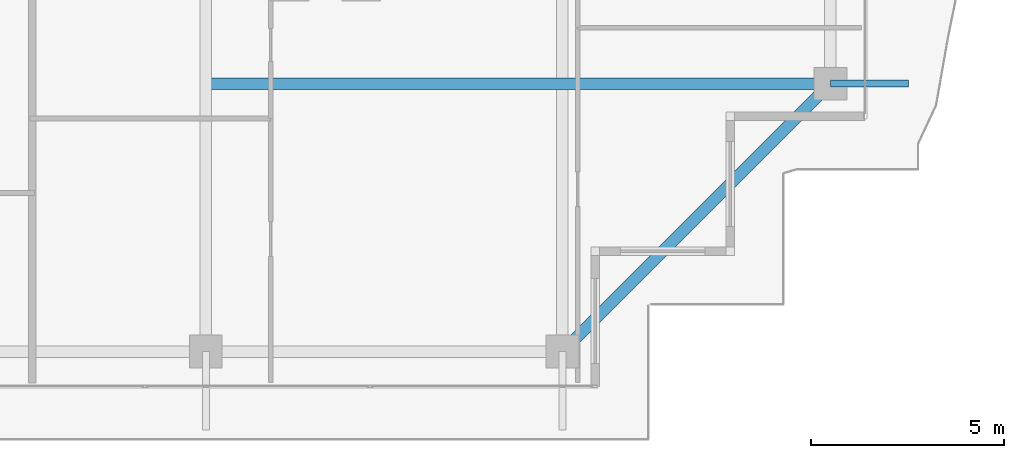
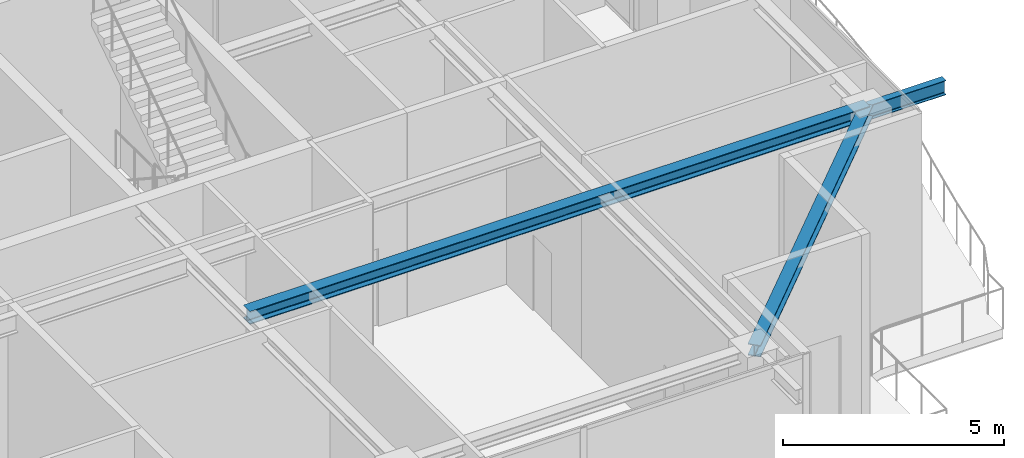
# One storey, part 13 of 40: 3 beams.
"""IFC4 building model written with IfcOpenShell, lengths in metres."""

from ifc_helpers import new_model, si_unit, direction, frame, origin, origin_2d, place, context, subcontext, project, spatial, i_section, extrude, source, transform, mapped, material, material_profile, profile_set, type_object, element, save


model = new_model("IFC4")

# Units and contexts
model_context = context("Model", 3, precision=1e-05, world=origin(), true_north=direction((0.0, 1.0)))
body_context = subcontext(model_context, "Body", "Model", "MODEL_VIEW")
ifc_project = project(units=[si_unit("LENGTHUNIT", "METRE"), si_unit("AREAUNIT", "SQUARE_METRE"), si_unit("VOLUMEUNIT", "CUBIC_METRE"), si_unit("PLANEANGLEUNIT", "RADIAN"), si_unit("MASSUNIT", "GRAM", prefix="KILO")], contexts=[model_context])

# Site, building, storey
site_placement = place(None, origin())
site = spatial("IfcSite", under=ifc_project, at=site_placement, CompositionType="ELEMENT")
building_placement = place(site_placement, origin())
building = spatial("IfcBuilding", under=site, at=building_placement, Name="Serunith Strait Residences", CompositionType="ELEMENT")
storey_placement = place(building_placement, frame((0.0, 0.0, 347.949951171875)))
storey = spatial("IfcBuildingStorey", under=building, at=storey_placement, Name="L86", CompositionType="ELEMENT", Elevation=347.949951171875)

# Beams
ifc_material = material(Name="Steel S355J2", Category="steel")
ifc_material_profile_1 = material_profile(ifc_material, i_section(OverallWidth=0.300048828125, OverallDepth=0.360107421875, WebThickness=0.012451171875, FlangeThickness=0.0224609375, FilletRadius=0.027099609375, at=origin_2d()), Name="HEB 360")
ifc_profile_set_1 = profile_set([ifc_material_profile_1], Name="Steel S355J2")
beam_type_1 = type_object("IfcBeamType", Name="BM-HEB360", PredefinedType="BEAM", material=ifc_profile_set_1)
shared_shape_1 = source(origin(), body_context, "Body", "SweptSolid", [
    extrude(i_section(OverallWidth=0.300048828125, OverallDepth=0.360107421875, WebThickness=0.012451171875, FlangeThickness=0.0224609375, FilletRadius=0.027099609375, at=origin_2d()), origin(), (0.0, 0.0, 1.0), 16.2001953125),
])
beam_1_placement = place(storey_placement, frame((36.89990234375, 11.85009765625, 5.45703125), z_axis=(1.0, 0.0, 0.0), x_axis=(0.0, 1.0, 0.0)))
element("IfcBeam", 1, at=beam_1_placement, inside=storey, type_object=beam_type_1, Name="L86 Orthogonal Corner Girder TC-E1", PredefinedType="BEAM", context=body_context, shape_type="MappedRepresentation", body=[
    mapped(shared_shape_1, transform((0.0, 0.0, 0.0), scale=1.0)),
])
ifc_material_profile_2 = material_profile(ifc_material, i_section(OverallWidth=0.300048828125, OverallDepth=0.320068359375, WebThickness=0.011474609375, FlangeThickness=0.0205078125, FilletRadius=0.027099609375, at=origin_2d()), Name="HEB 320")
ifc_profile_set_2 = profile_set([ifc_material_profile_2], Name="Steel S355J2")
beam_type_2 = type_object("IfcBeamType", Name="BM-HEB320", PredefinedType="BEAM", material=ifc_profile_set_2)
shared_shape_2 = source(origin(), body_context, "Body", "SweptSolid", [
    extrude(i_section(OverallWidth=0.300048828125, OverallDepth=0.320068359375, WebThickness=0.011474609375, FlangeThickness=0.0205078125, FilletRadius=0.027099609375, at=origin_2d()), origin(), (0.0, 0.0, 1.0), 9.8291015625),
])
beam_2_placement = place(storey_placement, frame((46.14990234375, 4.89990234375, 5.447021484375), z_axis=(0.707106781187, 0.707106781187, 0.0), x_axis=(-0.707106781187, 0.707106781187, 0.0)))
element("IfcBeam", 2, at=beam_2_placement, inside=storey, type_object=beam_type_2, Name="L86 Perimeter Ring Beam 04", PredefinedType="BEAM", context=body_context, shape_type="MappedRepresentation", body=[
    mapped(shared_shape_2, transform((0.0, 0.0, 0.0), scale=1.0)),
])
ifc_material_profile_3 = material_profile(ifc_material, i_section(OverallWidth=0.179931640625, OverallDepth=0.39990234375, WebThickness=0.008544921875, FlangeThickness=0.013427734375, FilletRadius=0.02099609375, at=origin_2d()), Name="IPE 400")
ifc_profile_set_3 = profile_set([ifc_material_profile_3], Name="Steel S355J2")
beam_type_3 = type_object("IfcBeamType", Name="BM-IPE400", PredefinedType="JOIST", material=ifc_profile_set_3)
shared_shape_3 = source(origin(), body_context, "Body", "SweptSolid", [
    extrude(i_section(OverallWidth=0.179931640625, OverallDepth=0.39990234375, WebThickness=0.008544921875, FlangeThickness=0.013427734375, FilletRadius=0.02099609375, at=origin_2d()), origin(), (0.0, 0.0, 1.0), 2.02978515625),
])
beam_3_placement = place(storey_placement, frame((53.10009765625, 11.85009765625, 5.406982421875), z_axis=(1.0, 0.0, 0.0), x_axis=(0.0, 1.0, 0.0)))
element("IfcBeam", 3, at=beam_3_placement, inside=storey, type_object=beam_type_3, Name="L87 Cantilevered Balcony Rib TC-E1", PredefinedType="JOIST", context=body_context, shape_type="MappedRepresentation", body=[
    mapped(shared_shape_3, transform((0.0, 0.0, 0.0), scale=1.0)),
])

save(model, "model.ifc")
